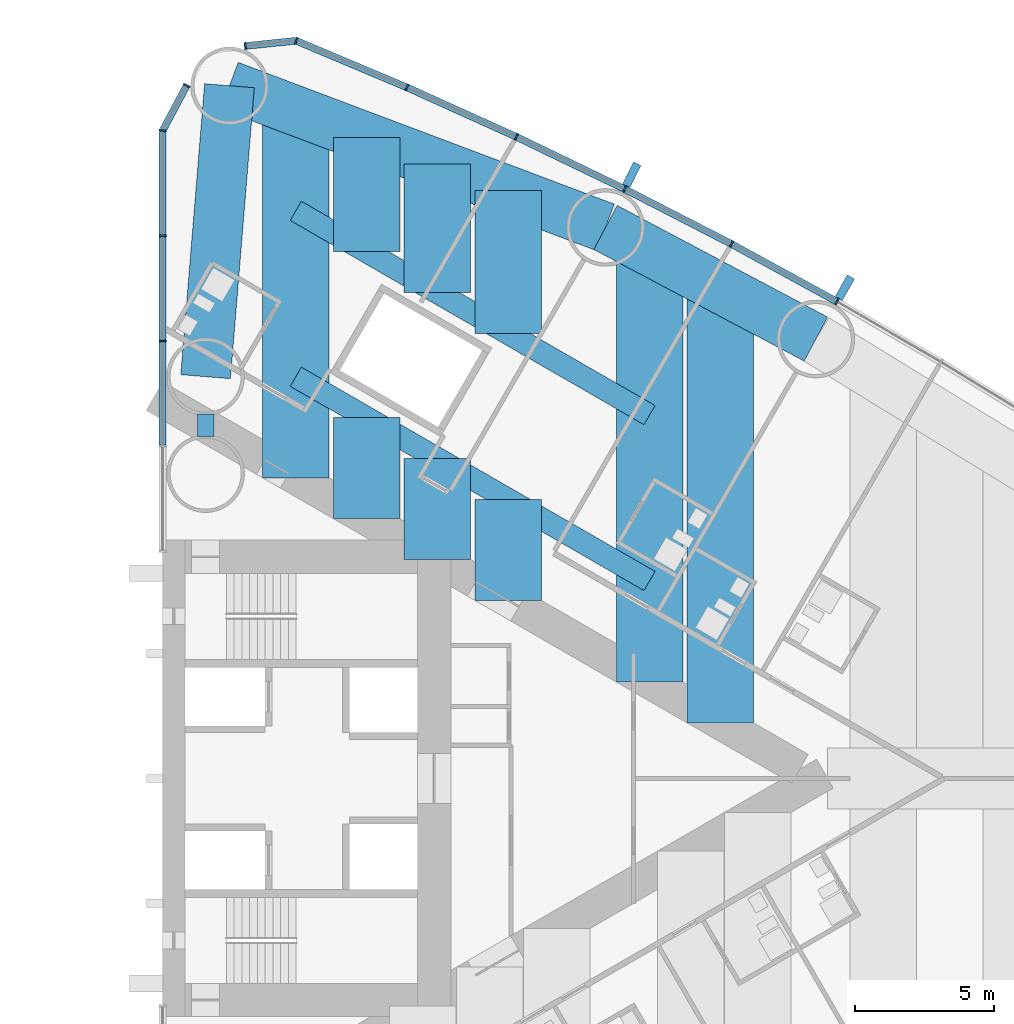
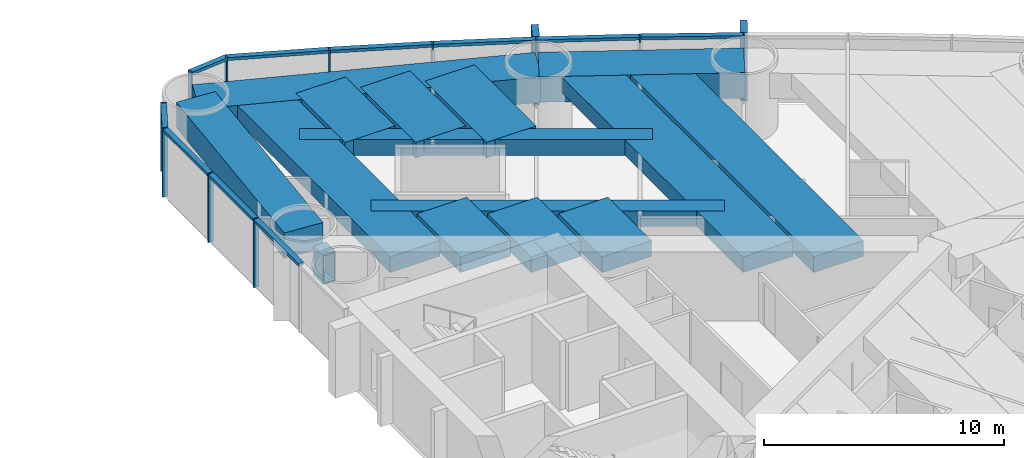
# One storey, part 7 of 19: 23 members, 15 beams, 2 elements without a shape of their own.
"""IFC4 building model written with IfcOpenShell, lengths in metres."""

from ifc_helpers import new_model, si_unit, direction, frame, origin, origin_2d, place, context, subcontext, project, spatial, rectangle, hollow_rectangle, extrude, material, material_profile, profile_set, type_object, element, aggregate, save


model = new_model("IFC4")

# Units and contexts
model_context = context("Model", 3, precision=1e-05, world=origin(), true_north=direction((0.0, 1.0)))
body_context = subcontext(model_context, "Body", "Model", "MODEL_VIEW")
ifc_project = project(units=[si_unit("LENGTHUNIT", "METRE"), si_unit("AREAUNIT", "SQUARE_METRE"), si_unit("VOLUMEUNIT", "CUBIC_METRE"), si_unit("PLANEANGLEUNIT", "RADIAN"), si_unit("MASSUNIT", "GRAM", prefix="KILO")], contexts=[model_context])

# Site, building, storey
site_placement = place(None, origin())
site = spatial("IfcSite", under=ifc_project, at=site_placement, CompositionType="ELEMENT")
building_placement = place(site_placement, origin())
building = spatial("IfcBuilding", under=site, at=building_placement, Name="Lancet Gate Hotel", CompositionType="ELEMENT")
storey_placement = place(building_placement, frame((0.0, 0.0, 32.0)))
storey = spatial("IfcBuildingStorey", under=building, at=storey_placement, Name="L07", CompositionType="ELEMENT", Elevation=32.0)

# Curtain wall, members
ifc_material_1 = material(Name="Aluminium curtain wall", Category="aluminium")
curtain_wall_type = type_object("IfcCurtainWallType", Name="Tower unitised curtain wall", PredefinedType="USERDEFINED", material=ifc_material_1)
curtain_wall_1_placement = place(storey_placement, origin())
curtain_wall_1 = element("IfcCurtainWall", 1, at=curtain_wall_1_placement, inside=storey, type_object=curtain_wall_type, Name="T2 L07 curtain wall 3", ObjectType="UNITISED CURTAIN WALL", PredefinedType="USERDEFINED")
ifc_material_2 = material(Name="Aluminium mullion", Category="aluminium")
ifc_material_profile_1 = material_profile(ifc_material_2, rectangle(XDim=0.06494140625, YDim=0.25, at=origin_2d()), Name="MULLION 65x250")
ifc_profile_set_1 = profile_set([ifc_material_profile_1], Name="Aluminium mullion")
member_type_1 = type_object("IfcMemberType", Name="Aluminium mullion 65x250", PredefinedType="MULLION", material=ifc_profile_set_1)
member_1_placement = place(storey_placement, frame((51.838623046875, 17.208740234375, 0.0), z_axis=(0.0, 0.0, 1.0), x_axis=(-0.871190450382, 0.490945209941, 0.0)))
member_1 = element("IfcMember", 2, at=member_1_placement, type_object=member_type_1, Name="T2 L07 curtain wall 3 mullion 8", PredefinedType="MULLION", context=body_context, shape_type="SweptSolid", body=[
    extrude(rectangle(XDim=0.06494140625, YDim=0.25, at=origin_2d()), origin(), (0.0, 0.0, 1.0), 3.5),
])
member_2_placement = place(storey_placement, frame((48.03271484375, 19.2900390625, 0.0), z_axis=(0.0, 0.0, 1.0), x_axis=(-0.88340346743, 0.468613181347, 0.0)))
member_2 = element("IfcMember", 3, at=member_2_placement, type_object=member_type_1, Name="T2 L07 curtain wall 3 mullion 9", PredefinedType="MULLION", context=body_context, shape_type="SweptSolid", body=[
    extrude(rectangle(XDim=0.06494140625, YDim=0.25, at=origin_2d()), origin(), (0.0, 0.0, 1.0), 3.5),
])
member_3_placement = place(storey_placement, frame((44.17529296875, 21.273681640625, 0.0), z_axis=(0.0, 0.0, 1.0), x_axis=(-0.895044147438, 0.445977548917, 0.0)))
member_3 = element("IfcMember", 4, at=member_3_placement, type_object=member_type_1, Name="T2 L07 curtain wall 3 mullion 10", PredefinedType="MULLION", context=body_context, shape_type="SweptSolid", body=[
    extrude(rectangle(XDim=0.06494140625, YDim=0.25, at=origin_2d()), origin(), (0.0, 0.0, 1.0), 3.5),
])
member_4_placement = place(storey_placement, frame((40.2685546875, 23.15869140625, 0.0), z_axis=(0.0, 0.0, 1.0), x_axis=(-0.906104948671, 0.423052977762, 0.0)))
member_4 = element("IfcMember", 5, at=member_4_placement, type_object=member_type_1, Name="T2 L07 curtain wall 3 mullion 11", PredefinedType="MULLION", context=body_context, shape_type="SweptSolid", body=[
    extrude(rectangle(XDim=0.06494140625, YDim=0.25, at=origin_2d()), origin(), (0.0, 0.0, 1.0), 3.5),
])
member_5_placement = place(storey_placement, frame((36.31494140625, 24.943603515625, 0.0), z_axis=(0.0, 0.0, 1.0), x_axis=(-0.916578705089, 0.399854320193, 0.0)))
member_5 = element("IfcMember", 6, at=member_5_placement, type_object=member_type_1, Name="T2 L07 curtain wall 3 mullion 12", PredefinedType="MULLION", context=body_context, shape_type="SweptSolid", body=[
    extrude(rectangle(XDim=0.06494140625, YDim=0.25, at=origin_2d()), origin(), (0.0, 0.0, 1.0), 3.5),
])
member_6_placement = place(storey_placement, frame((32.3173828125, 26.62744140625, 0.0), z_axis=(0.0, 0.0, 1.0), x_axis=(-0.968721492963, 0.248150496819, 0.0)))
member_6 = element("IfcMember", 7, at=member_6_placement, type_object=member_type_1, Name="T2 L07 curtain wall 3 mullion 13", PredefinedType="MULLION", context=body_context, shape_type="SweptSolid", body=[
    extrude(rectangle(XDim=0.06494140625, YDim=0.25, at=origin_2d()), origin(), (0.0, 0.0, 1.0), 3.5),
])
member_7_placement = place(storey_placement, frame((30.48388671875, 26.4375, 0.0), z_axis=(0.0, 0.0, 1.0), x_axis=(-0.994672262412, -0.10308778001, 0.0)))
member_7 = element("IfcMember", 8, at=member_7_placement, type_object=member_type_1, Name="T2 L07 curtain wall 3 mullion 14", PredefinedType="MULLION", context=body_context, shape_type="SweptSolid", body=[
    extrude(rectangle(XDim=0.06494140625, YDim=0.25, at=origin_2d()), origin(), (0.0, 0.0, 1.0), 3.5),
])

curtain_wall_2_placement = place(storey_placement, origin())
curtain_wall_2 = element("IfcCurtainWall", 9, at=curtain_wall_2_placement, inside=storey, type_object=curtain_wall_type, Name="T2 L07 curtain wall 4", ObjectType="UNITISED CURTAIN WALL", PredefinedType="USERDEFINED")
member_8_placement = place(storey_placement, frame((28.366455078125, 25.012451171875, 0.0), z_axis=(0.0, 0.0, 1.0), x_axis=(-0.469897827284, -0.882720811987, 0.0)))
member_8 = element("IfcMember", 10, at=member_8_placement, type_object=member_type_1, Name="T2 L07 curtain wall 4 mullion 1", PredefinedType="MULLION", context=body_context, shape_type="SweptSolid", body=[
    extrude(rectangle(XDim=0.06494140625, YDim=0.25, at=origin_2d()), origin(), (0.0, 0.0, 1.0), 3.5),
])
member_9_placement = place(storey_placement, frame((27.5, 23.384765625, 0.0), z_axis=(0.0, 0.0, 1.0), x_axis=(-0.157751691459, -0.987478811844, 0.0)))
member_9 = element("IfcMember", 11, at=member_9_placement, type_object=member_type_1, Name="T2 L07 curtain wall 4 mullion 2", PredefinedType="MULLION", context=body_context, shape_type="SweptSolid", body=[
    extrude(rectangle(XDim=0.06494140625, YDim=0.25, at=origin_2d()), origin(), (0.0, 0.0, 1.0), 3.5),
])
member_10_placement = place(storey_placement, frame((27.5, 19.588623046875, 0.0), z_axis=(0.0, 0.0, 1.0), x_axis=(0.0, -1.0, 0.0)))
member_10 = element("IfcMember", 12, at=member_10_placement, type_object=member_type_1, Name="T2 L07 curtain wall 4 mullion 3", PredefinedType="MULLION", context=body_context, shape_type="SweptSolid", body=[
    extrude(rectangle(XDim=0.06494140625, YDim=0.25, at=origin_2d()), origin(), (0.0, 0.0, 1.0), 3.5),
])
member_11_placement = place(storey_placement, frame((27.5, 15.79248046875, 0.0), z_axis=(0.0, 0.0, 1.0), x_axis=(0.0, -1.0, 0.0)))
member_11 = element("IfcMember", 13, at=member_11_placement, type_object=member_type_1, Name="T2 L07 curtain wall 4 mullion 4", PredefinedType="MULLION", context=body_context, shape_type="SweptSolid", body=[
    extrude(rectangle(XDim=0.06494140625, YDim=0.25, at=origin_2d()), origin(), (0.0, 0.0, 1.0), 3.5),
])

# Member
ifc_material_3 = material(Name="Aluminium transom", Category="aluminium")
ifc_material_profile_2 = material_profile(ifc_material_3, rectangle(XDim=0.25, YDim=0.14990234375, at=origin_2d()), Name="TRANSOM 250x150")
ifc_profile_set_2 = profile_set([ifc_material_profile_2], Name="Aluminium transom")
member_type_2 = type_object("IfcMemberType", Name="Aluminium transom 250x150", PredefinedType="USERDEFINED", material=ifc_profile_set_2)
member_12_placement = place(storey_placement, frame((51.81005859375, 17.224365234375, 3.425048828125), z_axis=(-0.877377528879, 0.479800658417, 0.0), x_axis=(-0.479800658417, -0.877377528879, 0.0)))
member_12 = element("IfcMember", 14, at=member_12_placement, type_object=member_type_2, Name="T2 L07 curtain wall 3 transom 8", ObjectType="TRANSOM", PredefinedType="USERDEFINED", context=body_context, shape_type="SweptSolid", body=[
    extrude(rectangle(XDim=0.25, YDim=0.14990234375, at=origin_2d()), origin(), (0.0, 0.0, 1.0), 4.272705078125),
])

member_13_placement = place(storey_placement, frame((48.00390625, 19.304931640625, 3.425048828125), z_axis=(-0.88929576978, 0.457332520002, 0.0), x_axis=(-0.457332520002, -0.88929576978, 0.0)))
member_13 = element("IfcMember", 15, at=member_13_placement, type_object=member_type_2, Name="T2 L07 curtain wall 3 transom 9", ObjectType="TRANSOM", PredefinedType="USERDEFINED", context=body_context, shape_type="SweptSolid", body=[
    extrude(rectangle(XDim=0.25, YDim=0.14990234375, at=origin_2d()), origin(), (0.0, 0.0, 1.0), 4.272705078125),
])

member_14_placement = place(storey_placement, frame((44.14599609375, 21.287841796875, 3.425048828125), z_axis=(-0.900646499888, 0.434552508035, 0.0), x_axis=(-0.434552508035, -0.900646499888, 0.0)))
member_14 = element("IfcMember", 16, at=member_14_placement, type_object=member_type_2, Name="T2 L07 curtain wall 3 transom 10", ObjectType="TRANSOM", PredefinedType="USERDEFINED", context=body_context, shape_type="SweptSolid", body=[
    extrude(rectangle(XDim=0.25, YDim=0.14990234375, at=origin_2d()), origin(), (0.0, 0.0, 1.0), 4.272705078125),
])

member_15_placement = place(storey_placement, frame((40.23876953125, 23.172119140625, 3.425048828125), z_axis=(-0.911396871737, 0.411528543589, 0.0), x_axis=(-0.411528543589, -0.911396871737, 0.0)))
member_15 = element("IfcMember", 17, at=member_15_placement, type_object=member_type_2, Name="T2 L07 curtain wall 3 transom 11", ObjectType="TRANSOM", PredefinedType="USERDEFINED", context=body_context, shape_type="SweptSolid", body=[
    extrude(rectangle(XDim=0.25, YDim=0.14990234375, at=origin_2d()), origin(), (0.0, 0.0, 1.0), 4.272705078125),
])

member_16_placement = place(storey_placement, frame((36.28515625, 24.956298828125, 3.425048828125), z_axis=(-0.92159772617, 0.388146404233, 0.0), x_axis=(-0.388146404233, -0.92159772617, 0.0)))
member_16 = element("IfcMember", 18, at=member_16_placement, type_object=member_type_2, Name="T2 L07 curtain wall 3 transom 12", ObjectType="TRANSOM", PredefinedType="USERDEFINED", context=body_context, shape_type="SweptSolid", body=[
    extrude(rectangle(XDim=0.25, YDim=0.14990234375, at=origin_2d()), origin(), (0.0, 0.0, 1.0), 4.272705078125),
])

member_17_placement = place(storey_placement, frame((32.28515625, 26.6240234375, 3.425048828125), z_axis=(-0.994670452051, -0.103105246306, 0.0), x_axis=(0.103105246306, -0.994670452051, 0.0)))
member_17 = element("IfcMember", 19, at=member_17_placement, type_object=member_type_2, Name="T2 L07 curtain wall 3 transom 13", ObjectType="TRANSOM", PredefinedType="USERDEFINED", context=body_context, shape_type="SweptSolid", body=[
    extrude(rectangle(XDim=0.25, YDim=0.14990234375, at=origin_2d()), origin(), (0.0, 0.0, 1.0), 1.7783203125),
])

member_18_placement = place(storey_placement, frame((28.351318359375, 24.98388671875, 3.425048828125), z_axis=(-0.469904276347, -0.882717378933, 0.0), x_axis=(0.882717378933, -0.469904276347, 0.0)))
member_18 = element("IfcMember", 20, at=member_18_placement, type_object=member_type_2, Name="T2 L07 curtain wall 4 transom 1", ObjectType="TRANSOM", PredefinedType="USERDEFINED", context=body_context, shape_type="SweptSolid", body=[
    extrude(rectangle(XDim=0.25, YDim=0.14990234375, at=origin_2d()), origin(), (0.0, 0.0, 1.0), 1.779052734375),
])

member_19_placement = place(storey_placement, frame((27.5, 23.352294921875, 3.425048828125), z_axis=(0.0, -1.0, 0.0), x_axis=(1.0, 0.0, 0.0)))
member_19 = element("IfcMember", 21, at=member_19_placement, type_object=member_type_2, Name="T2 L07 curtain wall 4 transom 2", ObjectType="TRANSOM", PredefinedType="USERDEFINED", context=body_context, shape_type="SweptSolid", body=[
    extrude(rectangle(XDim=0.25, YDim=0.14990234375, at=origin_2d()), origin(), (0.0, 0.0, 1.0), 3.731201171875),
])

member_20_placement = place(storey_placement, frame((27.5, 19.55615234375, 3.425048828125), z_axis=(0.0, -1.0, 0.0), x_axis=(1.0, 0.0, 0.0)))
member_20 = element("IfcMember", 22, at=member_20_placement, type_object=member_type_2, Name="T2 L07 curtain wall 4 transom 3", ObjectType="TRANSOM", PredefinedType="USERDEFINED", context=body_context, shape_type="SweptSolid", body=[
    extrude(rectangle(XDim=0.25, YDim=0.14990234375, at=origin_2d()), origin(), (0.0, 0.0, 1.0), 3.731201171875),
])

member_21_placement = place(storey_placement, frame((27.5, 15.760009765625, 3.425048828125), z_axis=(0.0, -1.0, 0.0), x_axis=(1.0, 0.0, 0.0)))
member_21 = element("IfcMember", 23, at=member_21_placement, type_object=member_type_2, Name="T2 L07 curtain wall 4 transom 4", ObjectType="TRANSOM", PredefinedType="USERDEFINED", context=body_context, shape_type="SweptSolid", body=[
    extrude(rectangle(XDim=0.25, YDim=0.14990234375, at=origin_2d()), origin(), (0.0, 0.0, 1.0), 3.731201171875),
])

aggregate(curtain_wall_2, [member_8, member_9, member_10, member_11, member_18, member_19, member_20, member_21])

# Beams
ifc_material_4 = material(Name="Concrete C50/60", Category="concrete")
ifc_material_profile_3 = material_profile(ifc_material_4, rectangle(XDim=1.800048828125, YDim=1.300048828125, at=origin_2d()), Name="RC 1800x1300")
ifc_profile_set_3 = profile_set([ifc_material_profile_3], Name="Concrete C50/60")
beam_type_1 = type_object("IfcBeamType", Name="Edge beam RC 1800x1300", PredefinedType="SPANDREL", material=ifc_profile_set_3)
beam_1_placement = place(storey_placement, frame((51.07763671875, 15.8583984375, 2.60009765625), z_axis=(-0.883403493655, 0.46861313191, 0.0), x_axis=(-0.46861313191, -0.883403493655, 0.0)))
element("IfcBeam", 24, at=beam_1_placement, inside=storey, type_object=beam_type_1, Name="T2 edge beam EB1 L07", PredefinedType="SPANDREL", context=body_context, shape_type="SweptSolid", body=[
    extrude(rectangle(XDim=1.800048828125, YDim=1.300048828125, at=origin_2d()), origin(), (0.0, 0.0, 1.0), 8.595703125),
])
beam_2_placement = place(storey_placement, frame((43.484130859375, 19.886474609375, 2.60009765625), z_axis=(-0.935736448066, 0.352700013836, 0.0), x_axis=(-0.352700013836, -0.935736448066, 0.0)))
element("IfcBeam", 25, at=beam_2_placement, inside=storey, type_object=beam_type_1, Name="T2 edge beam EB1 L07", PredefinedType="SPANDREL", context=body_context, shape_type="SweptSolid", body=[
    extrude(rectangle(XDim=1.800048828125, YDim=1.300048828125, at=origin_2d()), origin(), (0.0, 0.0, 1.0), 14.505126953125),
])
beam_3_placement = place(storey_placement, frame((29.050048828125, 14.5, 2.60009765625), z_axis=(0.081714744052, 0.996655758326, 0.0), x_axis=(-0.996655758326, 0.081714744052, 0.0)))
element("IfcBeam", 26, at=beam_3_placement, inside=storey, type_object=beam_type_1, Name="T2 edge beam EB1 L07", PredefinedType="SPANDREL", context=body_context, shape_type="SweptSolid", body=[
    extrude(rectangle(XDim=1.800048828125, YDim=1.300048828125, at=origin_2d()), origin(), (0.0, 0.0, 1.0), 10.53759765625),
])

# Member
ifc_material_5 = material(Name="Precast concrete C50/60", Category="concrete")
ifc_material_profile_4 = material_profile(ifc_material_5, rectangle(XDim=0.300048828125, YDim=0.89990234375, at=origin_2d()), Name="FIN 300x900")
ifc_profile_set_4 = profile_set([ifc_material_profile_4], Name="Precast concrete C50/60")
member_type_3 = type_object("IfcMemberType", Name="Exposed concrete fin 300x900", PredefinedType="USERDEFINED", material=ifc_profile_set_4)
member_22_placement = place(storey_placement, frame((52.120849609375, 17.709716796875, 0.0), z_axis=(0.0, 0.0, 1.0), x_axis=(-0.871190450382, 0.490945209941, 0.0)))
member_22 = element("IfcMember", 27, at=member_22_placement, type_object=member_type_3, Name="T2 L07 curtain wall 3 fin 8", ObjectType="FIN", PredefinedType="USERDEFINED", context=body_context, shape_type="SweptSolid", body=[
    extrude(rectangle(XDim=0.300048828125, YDim=0.89990234375, at=origin_2d()), origin(), (0.0, 0.0, 1.0), 3.5),
])

member_23_placement = place(storey_placement, frame((44.431640625, 21.788330078125, 0.0), z_axis=(0.0, 0.0, 1.0), x_axis=(-0.895044147438, 0.445977548917, 0.0)))
member_23 = element("IfcMember", 28, at=member_23_placement, type_object=member_type_3, Name="T2 L07 curtain wall 3 fin 10", ObjectType="FIN", PredefinedType="USERDEFINED", context=body_context, shape_type="SweptSolid", body=[
    extrude(rectangle(XDim=0.300048828125, YDim=0.89990234375, at=origin_2d()), origin(), (0.0, 0.0, 1.0), 3.5),
])

aggregate(curtain_wall_1, [member_1, member_22, member_2, member_3, member_23, member_4, member_5, member_6, member_7, member_12, member_13, member_14, member_15, member_16, member_17])

# Beams
ifc_material_6 = material(Name="Concrete C50/60", Category="concrete")
ifc_material_profile_5 = material_profile(ifc_material_6, rectangle(XDim=2.39990234375, YDim=0.800048828125, at=origin_2d()), Name="RC 2400x800")
ifc_profile_set_5 = profile_set([ifc_material_profile_5], Name="Concrete C50/60")
beam_type_2 = type_object("IfcBeamType", Name="Floor beam RC 2400x800", PredefinedType="BEAM", material=ifc_profile_set_5)
beam_4_placement = place(storey_placement, frame((32.306396484375, 10.851806640625, 2.85009765625), z_axis=(0.0, 1.0, 0.0), x_axis=(-1.0, 0.0, 0.0)))
element("IfcBeam", 29, at=beam_4_placement, inside=storey, type_object=beam_type_2, Name="T2 floor beam F04N L07", PredefinedType="BEAM", context=body_context, shape_type="SweptSolid", body=[
    extrude(rectangle(XDim=2.39990234375, YDim=0.800048828125, at=origin_2d()), origin(), (0.0, 0.0, 1.0), 13.247802734375),
])
beam_5_placement = place(storey_placement, frame((45.072265625, 3.4814453125, 2.85009765625), z_axis=(0.0, 1.0, 0.0), x_axis=(-1.0, 0.0, 0.0)))
element("IfcBeam", 30, at=beam_5_placement, inside=storey, type_object=beam_type_2, Name="T2 floor beam F12N L07", PredefinedType="BEAM", context=body_context, shape_type="SweptSolid", body=[
    extrude(rectangle(XDim=2.39990234375, YDim=0.800048828125, at=origin_2d()), origin(), (0.0, 0.0, 1.0), 15.5625),
])
beam_6_placement = place(storey_placement, frame((47.62548828125, 2.00732421875, 2.85009765625), z_axis=(0.0, 1.0, 0.0), x_axis=(-1.0, 0.0, 0.0)))
element("IfcBeam", 31, at=beam_6_placement, inside=storey, type_object=beam_type_2, Name="T2 floor beam F14N L07", PredefinedType="BEAM", context=body_context, shape_type="SweptSolid", body=[
    extrude(rectangle(XDim=2.39990234375, YDim=0.800048828125, at=origin_2d()), origin(), (0.0, 0.0, 1.0), 15.68212890625),
])
beam_7_placement = place(storey_placement, frame((34.859619140625, 9.377685546875, 2.85009765625), z_axis=(0.0, 1.0, 0.0), x_axis=(-1.0, 0.0, 0.0)))
element("IfcBeam", 32, at=beam_7_placement, inside=storey, type_object=beam_type_2, Name="T2 floor beam F06NA L07", PredefinedType="BEAM", context=body_context, shape_type="SweptSolid", body=[
    extrude(rectangle(XDim=2.39990234375, YDim=0.800048828125, at=origin_2d()), origin(), (0.0, 0.0, 1.0), 3.645751953125),
])
beam_8_placement = place(storey_placement, frame((34.859619140625, 19.011474609375, 2.85009765625), z_axis=(0.0, 1.0, 0.0), x_axis=(-1.0, 0.0, 0.0)))
element("IfcBeam", 33, at=beam_8_placement, inside=storey, type_object=beam_type_2, Name="T2 floor beam F06NB L07", PredefinedType="BEAM", context=body_context, shape_type="SweptSolid", body=[
    extrude(rectangle(XDim=2.39990234375, YDim=0.800048828125, at=origin_2d()), origin(), (0.0, 0.0, 1.0), 4.125732421875),
])
beam_9_placement = place(storey_placement, frame((37.412841796875, 7.903564453125, 2.85009765625), z_axis=(0.0, 1.0, 0.0), x_axis=(-1.0, 0.0, 0.0)))
element("IfcBeam", 34, at=beam_9_placement, inside=storey, type_object=beam_type_2, Name="T2 floor beam F08NA L07", PredefinedType="BEAM", context=body_context, shape_type="SweptSolid", body=[
    extrude(rectangle(XDim=2.39990234375, YDim=0.800048828125, at=origin_2d()), origin(), (0.0, 0.0, 1.0), 3.6455078125),
])
beam_10_placement = place(storey_placement, frame((37.412841796875, 17.537109375, 2.85009765625), z_axis=(0.0, 1.0, 0.0), x_axis=(-1.0, 0.0, 0.0)))
element("IfcBeam", 35, at=beam_10_placement, inside=storey, type_object=beam_type_2, Name="T2 floor beam F08NB L07", PredefinedType="BEAM", context=body_context, shape_type="SweptSolid", body=[
    extrude(rectangle(XDim=2.39990234375, YDim=0.800048828125, at=origin_2d()), origin(), (0.0, 0.0, 1.0), 4.6376953125),
])
beam_11_placement = place(storey_placement, frame((39.9658203125, 6.429443359375, 2.85009765625), z_axis=(0.0, 1.0, 0.0), x_axis=(-1.0, 0.0, 0.0)))
element("IfcBeam", 36, at=beam_11_placement, inside=storey, type_object=beam_type_2, Name="T2 floor beam F10NA L07", PredefinedType="BEAM", context=body_context, shape_type="SweptSolid", body=[
    extrude(rectangle(XDim=2.39990234375, YDim=0.800048828125, at=origin_2d()), origin(), (0.0, 0.0, 1.0), 3.64501953125),
])
beam_12_placement = place(storey_placement, frame((39.9658203125, 16.062744140625, 2.85009765625), z_axis=(0.0, 1.0, 0.0), x_axis=(-1.0, 0.0, 0.0)))
element("IfcBeam", 37, at=beam_12_placement, inside=storey, type_object=beam_type_2, Name="T2 floor beam F10NB L07", PredefinedType="BEAM", context=body_context, shape_type="SweptSolid", body=[
    extrude(rectangle(XDim=2.39990234375, YDim=0.800048828125, at=origin_2d()), origin(), (0.0, 0.0, 1.0), 5.14990234375),
])
ifc_material_7 = material(Name="Steel S460QL", Category="steel")
ifc_material_profile_6 = material_profile(ifc_material_7, hollow_rectangle(XDim=0.60009765625, YDim=1.5, WallThickness=0.050048828125, at=origin_2d()), Name="BOX 1500x600x50")
ifc_profile_set_6 = profile_set([ifc_material_profile_6], Name="Steel S460QL")
beam_type_3 = type_object("IfcBeamType", Name="Inner-face link beam BOX 1500x600x50", PredefinedType="BEAM", material=ifc_profile_set_6)
beam_13_placement = place(storey_placement, frame((29.050048828125, 12.35009765625, 2.5), z_axis=(0.0, 1.0, 0.0), x_axis=(-1.0, 0.0, 0.0)))
element("IfcBeam", 38, at=beam_13_placement, inside=storey, type_object=beam_type_3, Name="T2 inner-face link beam LK1 L07", PredefinedType="BEAM", context=body_context, shape_type="SweptSolid", body=[
    extrude(hollow_rectangle(XDim=0.60009765625, YDim=1.5, WallThickness=0.050048828125, at=origin_2d()), origin(), (0.0, 0.0, 1.0), 0.7998046875),
])
ifc_material_8 = material(Name="Steel S460QL", Category="steel")
ifc_material_profile_7 = material_profile(ifc_material_8, hollow_rectangle(XDim=0.800048828125, YDim=0.800048828125, WallThickness=0.080078125, at=origin_2d()), Name="BOX 800x800x80")
ifc_profile_set_7 = profile_set([ifc_material_profile_7], Name="Steel S460QL")
beam_type_4 = type_object("IfcBeamType", Name="Trimmer beam BOX 800x800x80", PredefinedType="BEAM", material=ifc_profile_set_7)
beam_14_placement = place(storey_placement, frame((32.306396484375, 20.48583984375, 2.85009765625), z_axis=(0.86598286195, -0.500073677381, 0.0), x_axis=(0.500073677381, 0.86598286195, 0.0)))
element("IfcBeam", 39, at=beam_14_placement, inside=storey, type_object=beam_type_4, Name="T2 trimmer beam TR03N L07", PredefinedType="BEAM", context=body_context, shape_type="SweptSolid", body=[
    extrude(hollow_rectangle(XDim=0.800048828125, YDim=0.800048828125, WallThickness=0.080078125, at=origin_2d()), origin(), (0.0, 0.0, 1.0), 14.741455078125),
])
beam_15_placement = place(storey_placement, frame((32.306396484375, 14.497802734375, 2.85009765625), z_axis=(0.865975689888, -0.500086097111, 0.0), x_axis=(0.500086097111, 0.865975689888, 0.0)))
element("IfcBeam", 40, at=beam_15_placement, inside=storey, type_object=beam_type_4, Name="T2 trimmer beam TR04N L07", PredefinedType="BEAM", context=body_context, shape_type="SweptSolid", body=[
    extrude(hollow_rectangle(XDim=0.800048828125, YDim=0.800048828125, WallThickness=0.080078125, at=origin_2d()), origin(), (0.0, 0.0, 1.0), 14.74169921875),
])

save(model, "model.ifc")
